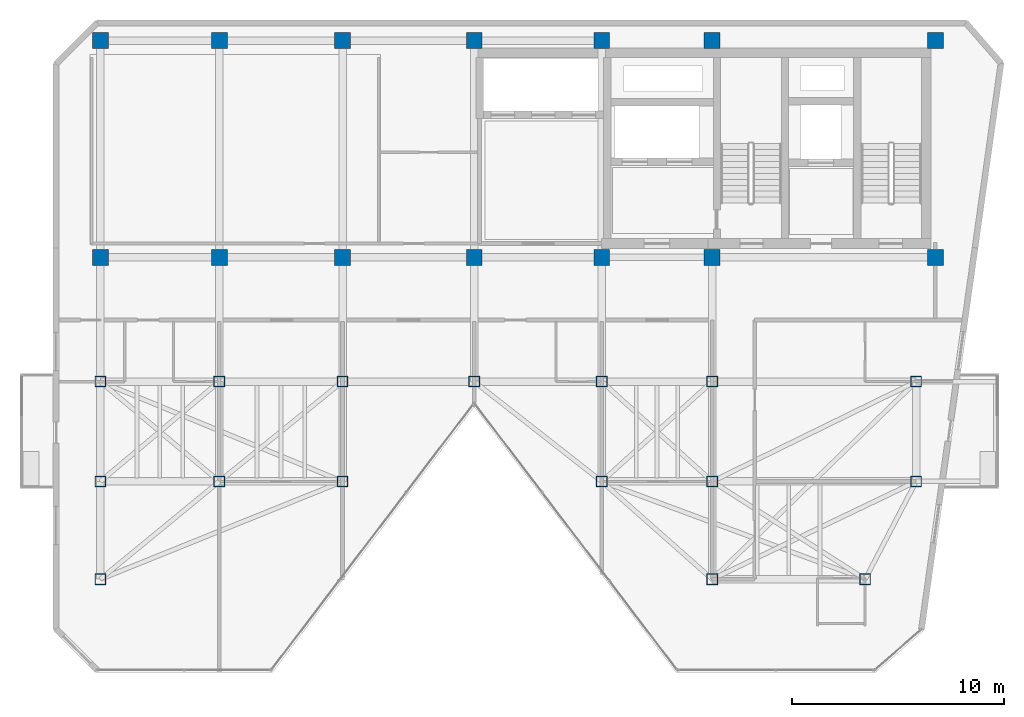
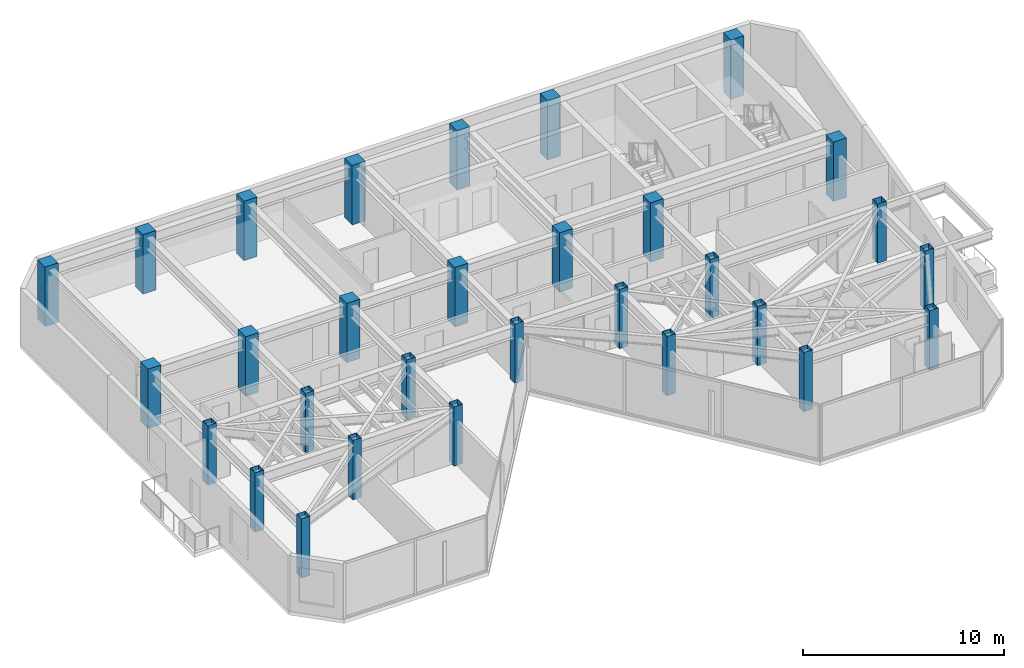
# One storey, part 1 of 17: 30 columns.
"""IFC4 building model written with IfcOpenShell, lengths in metres."""

from ifc_helpers import new_model, si_unit, direction, frame, origin, origin_2d, place, context, subcontext, project, spatial, rectangle, hollow_rectangle, extrude, material, material_profile, profile_set, type_object, element, save


model = new_model("IFC4")

# Units and contexts
model_context = context("Model", 3, precision=1e-05, world=origin(), true_north=direction((0.0, 1.0)))
body_context = subcontext(model_context, "Body", "Model", "MODEL_VIEW")
ifc_project = project(units=[si_unit("LENGTHUNIT", "METRE"), si_unit("AREAUNIT", "SQUARE_METRE"), si_unit("VOLUMEUNIT", "CUBIC_METRE"), si_unit("PLANEANGLEUNIT", "RADIAN"), si_unit("MASSUNIT", "GRAM", prefix="KILO")], contexts=[model_context])

# Site, building, storey
site_placement = place(None, origin())
site = spatial("IfcSite", under=ifc_project, at=site_placement, CompositionType="ELEMENT")
building_placement = place(site_placement, origin())
building = spatial("IfcBuilding", under=site, at=building_placement, Name="Kravanh Interchange Tower", CompositionType="ELEMENT")
storey_placement = place(building_placement, frame((0.0, 0.0, 256.199951171875)))
storey = spatial("IfcBuildingStorey", under=building, at=storey_placement, Name="L62", CompositionType="ELEMENT", Elevation=256.199951171875)

# Columns
ifc_material_1 = material(Name="Structural Steel S355", Category="steel")
ifc_material_profile_1 = material_profile(ifc_material_1, hollow_rectangle(XDim=0.5, YDim=0.5, WallThickness=0.02001953125, at=origin_2d()), Name="HSS500X500X20")
ifc_profile_set_1 = profile_set([ifc_material_profile_1], Name="Structural Steel S355")
column_type_1 = type_object("IfcColumnType", Name="Column HSS500X500X20 Structural Steel S355", PredefinedType="COLUMN", material=ifc_profile_set_1)
for number, where, z_axis, x_axis, name in (
    (1, (44.800048828125, 31.5, 0.0), (0.0, 0.0, 1.0), (1.0, 0.0, 0.0), "L62 Column CH_E1"),
    (2, (50.800048828125, 31.5, 0.0), (0.0, 0.0, 1.0), (1.0, 0.0, 0.0), "L62 Column CH_E2"),
    (3, (56.0, 31.5, 0.0), (0.0, 0.0, 1.0), (1.0, 0.0, 0.0), "L62 Column CH_E3"),
    (4, (65.60009765625, 31.5, 0.0), (0.0, 0.0, 1.0), (1.0, 0.0, 0.0), "L62 Column CH_E4"),
    (5, (38.60009765625, 31.5, 0.0), (0.0, 0.0, 1.0), (1.0, 0.0, 0.0), "L62 Column CH_E5"),
    (6, (32.800048828125, 31.5, 0.0), (0.0, 0.0, 1.0), (1.0, 0.0, 0.0), "L62 Column CH_E6"),
    (7, (27.199951171875, 31.5, 0.0), (0.0, 0.0, 1.0), (1.0, 0.0, 0.0), "L62 Column CH_E7"),
    (8, (38.60009765625, 26.800048828125, 0.0), (0.0, 0.0, 1.0), (1.0, 0.0, 0.0), "L62 Column CH_S1"),
    (9, (50.800048828125, 26.800048828125, 0.0), (0.0, 0.0, 1.0), (1.0, 0.0, 0.0), "L62 Column CH_S2"),
    (10, (56.0, 26.800048828125, 0.0), (0.0, 0.0, 1.0), (1.0, 0.0, 0.0), "L62 Column CH_S3"),
    (11, (65.60009765625, 26.800048828125, 0.0), (0.0, 0.0, 1.0), (1.0, 0.0, 0.0), "L62 Column CH_S4"),
    (12, (56.0, 22.199951171875, 0.0), (0.0, 0.0, 1.0), (1.0, 0.0, 0.0), "L62 Column CH_S5"),
    (13, (63.199951171875, 22.199951171875, 0.0), (0.0, 0.0, 1.0), (1.0, 0.0, 0.0), "L62 Column CH_S6"),
    (14, (27.199951171875, 22.199951171875, 0.0), (0.0, 0.0, 1.0), (1.0, 0.0, 0.0), "L62 Column CH_W1"),
    (15, (27.199951171875, 26.800048828125, 0.0), (0.0, 0.0, 1.0), (1.0, 0.0, 0.0), "L62 Column CH_W1B"),
    (16, (32.800048828125, 26.800048828125, 0.0), (0.0, 0.0, 1.0), (1.0, 0.0, 0.0), "L62 Column CH_W3"),
):
    element("IfcColumn", number, at=place(storey_placement, frame(where, z_axis=z_axis, x_axis=x_axis)), inside=storey, type_object=column_type_1, Name=name, PredefinedType="COLUMN", context=body_context, shape_type="SweptSolid", body=[
        extrude(hollow_rectangle(XDim=0.5, YDim=0.5, WallThickness=0.02001953125, at=origin_2d()), origin(), (0.0, 0.0, 1.0), 3.60009765625),
    ])
ifc_material_2 = material(Name="Concrete C60/75", Category="concrete")
ifc_material_profile_2 = material_profile(ifc_material_2, rectangle(XDim=0.75, YDim=0.75, at=origin_2d()), Name="RC750X750")
ifc_profile_set_2 = profile_set([ifc_material_profile_2], Name="Concrete C60/75")
column_type_2 = type_object("IfcColumnType", Name="Column RC750X750 Concrete C60/75", PredefinedType="COLUMN", material=ifc_profile_set_2)
for number, where, z_axis, x_axis, name in (
    (17, (66.5, 47.550048828125, 0.0), (0.0, 0.0, 1.0), (1.0, 0.0, 0.0), "L62 Column CS01"),
    (18, (56.0, 47.550048828125, 0.0), (0.0, 0.0, 1.0), (1.0, 0.0, 0.0), "L62 Column CS02"),
    (19, (66.5, 37.35009765625, 0.0), (0.0, 0.0, 1.0), (1.0, 0.0, 0.0), "L62 Column CS03"),
    (20, (56.0, 37.35009765625, 0.0), (0.0, 0.0, 1.0), (1.0, 0.0, 0.0), "L62 Column CS04"),
    (21, (50.800048828125, 47.550048828125, 0.0), (0.0, 0.0, 1.0), (1.0, 0.0, 0.0), "L62 Column CS05"),
    (22, (50.800048828125, 37.35009765625, 0.0), (0.0, 0.0, 1.0), (1.0, 0.0, 0.0), "L62 Column CS06"),
    (23, (44.800048828125, 37.35009765625, 0.0), (0.0, 0.0, 1.0), (1.0, 0.0, 0.0), "L62 Column CS07"),
    (24, (44.800048828125, 47.550048828125, 0.0), (0.0, 0.0, 1.0), (1.0, 0.0, 0.0), "L62 Column CS08"),
    (25, (38.60009765625, 37.35009765625, 0.0), (0.0, 0.0, 1.0), (1.0, 0.0, 0.0), "L62 Column CS09"),
    (26, (38.60009765625, 47.550048828125, 0.0), (0.0, 0.0, 1.0), (1.0, 0.0, 0.0), "L62 Column CS10"),
    (27, (32.800048828125, 37.35009765625, 0.0), (0.0, 0.0, 1.0), (1.0, 0.0, 0.0), "L62 Column CS11"),
    (28, (32.800048828125, 47.550048828125, 0.0), (0.0, 0.0, 1.0), (1.0, 0.0, 0.0), "L62 Column CS12"),
    (29, (27.199951171875, 37.35009765625, 0.0), (0.0, 0.0, 1.0), (1.0, 0.0, 0.0), "L62 Column CS13"),
    (30, (27.199951171875, 47.550048828125, 0.0), (0.0, 0.0, 1.0), (1.0, 0.0, 0.0), "L62 Column CS14"),
):
    element("IfcColumn", number, at=place(storey_placement, frame(where, z_axis=z_axis, x_axis=x_axis)), inside=storey, type_object=column_type_2, Name=name, PredefinedType="COLUMN", context=body_context, shape_type="SweptSolid", body=[
        extrude(rectangle(XDim=0.75, YDim=0.75, at=origin_2d()), origin(), (0.0, 0.0, 1.0), 3.60009765625),
    ])

save(model, "model.ifc")
